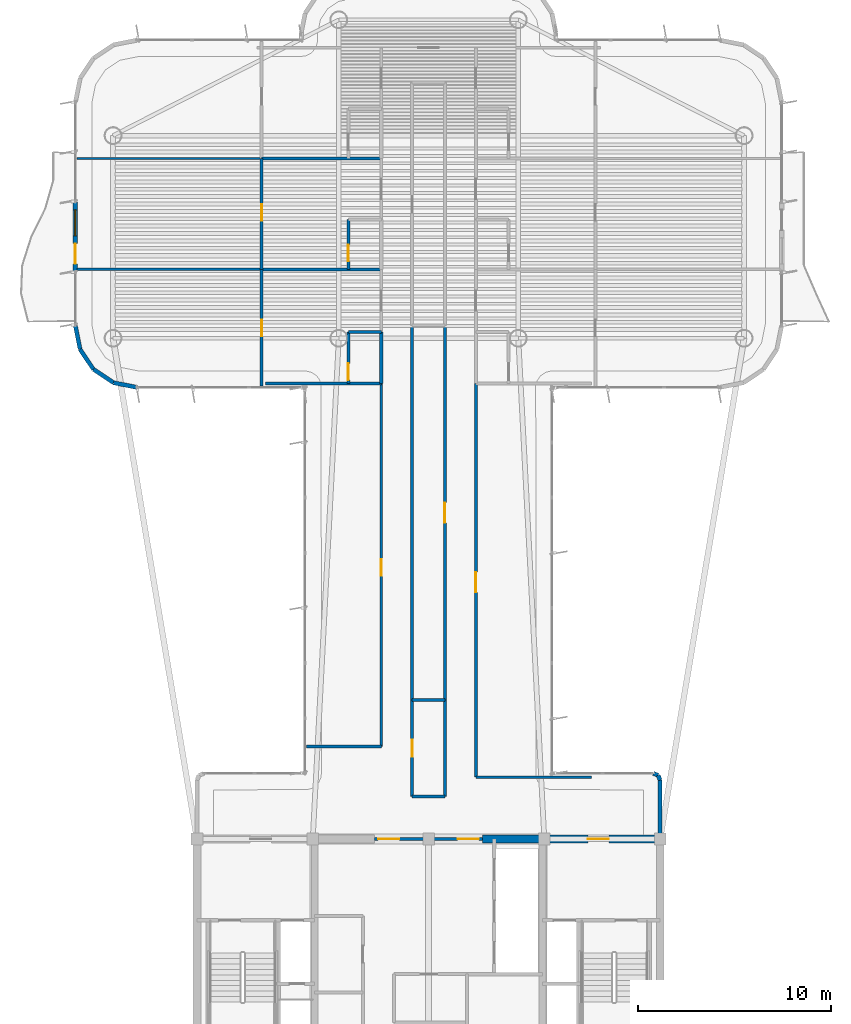
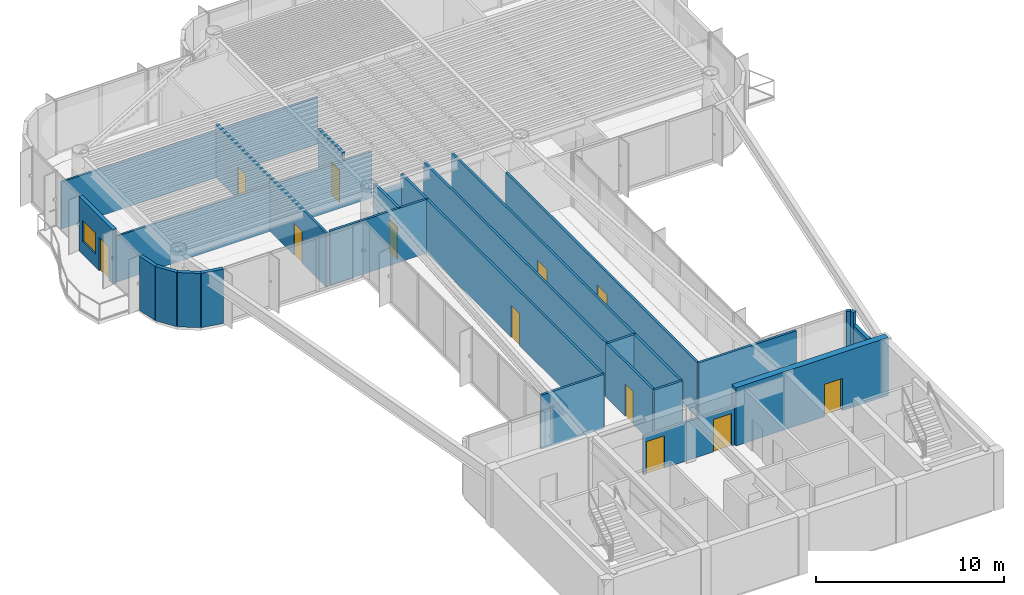
# One storey, part 11 of 16: 31 walls, 12 doors, 1 window, 13 openings.
"""IFC4 building model written with IfcOpenShell, lengths in metres."""

from ifc_helpers import new_model, si_unit, direction, frame, frame_2d, origin, origin_2d, place, context, subcontext, project, spatial, rectangle, extrude, source, transform, mapped, material, layer, layer_set, type_object, element, fill, save


model = new_model("IFC4")

# Units and contexts
model_context = context("Model", 3, precision=1e-05, world=origin(), true_north=direction((0.0, 1.0)))
body_context = subcontext(model_context, "Body", "Model", "MODEL_VIEW")
ifc_project = project(units=[si_unit("LENGTHUNIT", "METRE"), si_unit("AREAUNIT", "SQUARE_METRE"), si_unit("VOLUMEUNIT", "CUBIC_METRE"), si_unit("PLANEANGLEUNIT", "RADIAN"), si_unit("MASSUNIT", "GRAM", prefix="KILO")], contexts=[model_context])

# Site, building, storey
site_placement = place(None, origin())
site = spatial("IfcSite", under=ifc_project, at=site_placement, CompositionType="ELEMENT")
building_placement = place(site_placement, origin())
building = spatial("IfcBuilding", under=site, at=building_placement, Name="Brelvock Crest Care Tower", CompositionType="ELEMENT")
storey_placement = place(building_placement, frame((0.0, 0.0, 238.139892578125)))
storey = spatial("IfcBuildingStorey", under=building, at=storey_placement, Name="L60", CompositionType="ELEMENT", Elevation=238.139892578125)

# Wall, opening, door
ifc_material_1 = material(Name="Concrete S65 (65 MPa)", Category="concrete")
ifc_layer_1 = layer(ifc_material_1, 0.39990234375, Name="WL-CS4")
ifc_layer_set_1 = layer_set([ifc_layer_1], Name="Concrete S65 (65 MPa)")
wall_type_1 = type_object("IfcWallType", Name="WL-CS4", PredefinedType="SHEAR", material=ifc_layer_set_1)
wall_1_placement = place(storey_placement, frame((38.800048828125, 18.0, 0.0), z_axis=(0.0, 0.0, 1.0), x_axis=(1.0, 0.0, 0.0)))
wall_1 = element("IfcWall", 1, at=wall_1_placement, inside=storey, type_object=wall_type_1, Name="L60 Core North-East Shear Wall", PredefinedType="SHEAR", context=body_context, shape_type="SweptSolid", body=[
    extrude(rectangle(XDim=9.39990234375, YDim=0.39990234375, at=frame_2d((4.699951171875, 0.0))), origin(), (0.0, 0.0, 1.0), 3.780029296875),
])
opening_1_placement = place(wall_1_placement, frame((5.449951171875, 0.0, 0.0)))
opening_1 = element("IfcOpeningElement", 2, at=opening_1_placement, cuts=wall_1, Name="Opening FD-1", PredefinedType="OPENING", context=body_context, shape_type="SweptSolid", body=[
    extrude(rectangle(XDim=1.10009765625, YDim=2.10009765625, at=origin_2d()), frame((0.550048828125, 0.2099609375, 1.050048828125), z_axis=(0.0, -1.0, 0.0), x_axis=(1.0, 0.0, 0.0)), (0.0, 0.0, 1.0), 0.419921875),
])
ifc_material_2 = material(Name="Steel Grade 350", Category="steel")
door_type_1 = type_object("IfcDoorType", Name="DR-FFL1", OperationType="NOTDEFINED", PredefinedType="DOOR", material=ifc_material_2)
shared_shape_1 = source(origin(), body_context, "Body", "SweptSolid", [
    extrude(rectangle(XDim=1.10009765625, YDim=2.10009765625, at=origin_2d()), frame((0.550048828125, 0.02490234375, 1.050048828125), z_axis=(0.0, -1.0, 0.0), x_axis=(1.0, 0.0, 0.0)), (0.0, 0.0, 1.0), 0.050048828125),
])
door_1_placement = place(opening_1_placement, origin())
door_1 = element("IfcDoor", 3, at=door_1_placement, inside=storey, type_object=door_type_1, Name="L60 Firefighting Lobby FFL-2 Exit Door", OperationType="SINGLE_SWING_RIGHT", OverallHeight=2.10009765625, OverallWidth=1.10009765625, PredefinedType="DOOR", context=body_context, shape_type="MappedRepresentation", body=[
    mapped(shared_shape_1, transform((0.0, 0.0, 0.0), x_axis=(1.0, 0.0, 0.0), y_axis=(0.0, 1.0, 0.0), z_axis=(0.0, 0.0, 1.0), scale=1.0)),
])
fill(opening_1, door_1)

# Wall, openings, door, window
ifc_material_3 = material(Name="Precast concrete N40 (40 MPa)", Category="concrete")
ifc_layer_2 = layer(ifc_material_3, 0.239990234375, Name="WL-EX1")
ifc_layer_set_2 = layer_set([ifc_layer_2], Name="Precast concrete N40 (40 MPa)")
wall_type_2 = type_object("IfcWallType", Name="WL-EX1", PredefinedType="SOLIDWALL", material=ifc_layer_set_2)
wall_2_placement = place(storey_placement, frame((17.699951171875, 47.39990234375, 0.0), z_axis=(0.0, 0.0, 1.0), x_axis=(0.0, 1.0, 0.0)))
wall_2 = element("IfcWall", 4, at=wall_2_placement, inside=storey, type_object=wall_type_2, Name="L60 Exterior Spandrel Wall WL-BAL-L60-W", PredefinedType="SOLIDWALL", context=body_context, shape_type="SweptSolid", body=[
    extrude(rectangle(XDim=3.60009765625, YDim=0.239990234375, at=frame_2d((1.800048828125, 0.0))), origin(), (0.0, 0.0, 1.0), 3.530029296875),
])
opening_2_placement = place(wall_2_placement, frame((0.39990234375, 0.0, 0.0)))
opening_2 = element("IfcOpeningElement", 5, at=opening_2_placement, cuts=wall_2, Name="Opening BD-1", PredefinedType="OPENING", context=body_context, shape_type="SweptSolid", body=[
    extrude(rectangle(XDim=1.050048828125, YDim=2.14990234375, at=origin_2d()), frame((0.52490234375, 0.1298828125, 1.074951171875), z_axis=(0.0, -1.0, 0.0), x_axis=(1.0, 0.0, 0.0)), (0.0, 0.0, 1.0), 0.260009765625),
])
opening_3_placement = place(wall_2_placement, frame((1.85009765625, 0.0, 0.85009765625)))
opening_3 = element("IfcOpeningElement", 6, at=opening_3_placement, cuts=wall_2, Name="Opening W-01", PredefinedType="OPENING", context=body_context, shape_type="SweptSolid", body=[
    extrude(rectangle(XDim=1.35009765625, YDim=1.35009765625, at=origin_2d()), frame((0.675048828125, 0.1298828125, 0.675048828125), z_axis=(0.0, -1.0, 0.0), x_axis=(1.0, 0.0, 0.0)), (0.0, 0.0, 1.0), 0.260009765625),
])
ifc_material_4 = material(Name="Dark Glass Double Glazed Low-E", Category="glass")
door_type_2 = type_object("IfcDoorType", Name="DR-BAL1", OperationType="NOTDEFINED", PredefinedType="DOOR", material=ifc_material_4)
shared_shape_2 = source(origin(), body_context, "Body", "SweptSolid", [
    extrude(rectangle(XDim=1.050048828125, YDim=2.14990234375, at=origin_2d()), frame((0.52490234375, 0.02490234375, 1.074951171875), z_axis=(0.0, -1.0, 0.0), x_axis=(1.0, 0.0, 0.0)), (0.0, 0.0, 1.0), 0.050048828125),
])
door_2_placement = place(opening_2_placement, origin())
door_2 = element("IfcDoor", 7, at=door_2_placement, inside=storey, type_object=door_type_2, Name="L60 W Wave Balcony Glazed Door", OperationType="SINGLE_SWING_LEFT", OverallHeight=2.14990234375, OverallWidth=1.050048828125, PredefinedType="DOOR", context=body_context, shape_type="MappedRepresentation", body=[
    mapped(shared_shape_2, transform((0.0, 0.0, 0.0), x_axis=(1.0, 0.0, 0.0), y_axis=(0.0, 1.0, 0.0), z_axis=(0.0, 0.0, 1.0), scale=1.0)),
])
fill(opening_2, door_2)
window_type = type_object("IfcWindowType", Name="WN-EX1", PartitioningType="SINGLE_PANEL", PredefinedType="WINDOW", material=ifc_material_4)
shared_shape_3 = source(origin(), body_context, "Body", "SweptSolid", [
    extrude(rectangle(XDim=1.35009765625, YDim=1.35009765625, at=origin_2d()), frame((0.675048828125, 0.030029296875, 0.675048828125), z_axis=(0.0, -1.0, 0.0), x_axis=(1.0, 0.0, 0.0)), (0.0, 0.0, 1.0), 0.06005859375),
])
window_placement = place(opening_3_placement, origin())
window = element("IfcWindow", 8, at=window_placement, inside=storey, type_object=window_type, Name="L60 W Suite Casement Window", OverallHeight=1.35009765625, OverallWidth=1.35009765625, PartitioningType="SINGLE_PANEL", PredefinedType="WINDOW", context=body_context, shape_type="MappedRepresentation", body=[
    mapped(shared_shape_3, transform((0.0, 0.0, 0.0), x_axis=(1.0, 0.0, 0.0), y_axis=(0.0, 1.0, 0.0), z_axis=(0.0, 0.0, 1.0), scale=1.0)),
])
fill(opening_3, window)

# Walls
ifc_layer_3 = layer(ifc_material_3, 0.215087890625, Name="WL-EX2")
ifc_layer_set_3 = layer_set([ifc_layer_3], Name="Precast concrete N40 (40 MPa)")
wall_type_3 = type_object("IfcWallType", Name="WL-EX2", PredefinedType="SOLIDWALL", material=ifc_layer_set_3)
wall_3_placement = place(storey_placement, frame((47.8974609375, 21.297607421875, 0.0), z_axis=(0.0, 0.0, 1.0), x_axis=(0.382673670509, -0.923883575944, 0.0)))
element("IfcWall", 9, at=wall_3_placement, inside=storey, type_object=wall_type_3, Name="L60 Rounded Corner Wall 00", PredefinedType="SOLIDWALL", context=body_context, shape_type="SweptSolid", body=[
    extrude(rectangle(XDim=0.26806640625, YDim=0.215087890625, at=frame_2d((0.134033203125, 0.0))), origin(), (0.0, 0.0, 1.0), 3.530029296875),
])
wall_4_placement = place(storey_placement, frame((48.0, 21.050048828125, 0.0), z_axis=(0.0, 0.0, 1.0), x_axis=(0.0, -1.0, 0.0)))
element("IfcWall", 10, at=wall_4_placement, inside=storey, type_object=wall_type_3, Name="L60 Rounded Corner Wall 01", PredefinedType="SOLIDWALL", context=body_context, shape_type="SweptSolid", body=[
    extrude(rectangle(XDim=2.77001953125, YDim=0.215087890625, at=frame_2d((1.385009765625, 0.0))), origin(), (0.0, 0.0, 1.0), 2.718017578125),
])
for number, where, z_axis, x_axis, name in (
    (11, (20.89990234375, 41.39990234375, 0.0), (0.0, 0.0, 1.0), (-0.980775717779, 0.195138390419, 0.0), "L60 Rounded Corner Wall 13"),
    (12, (19.67529296875, 41.6435546875, 0.0), (0.0, 0.0, 1.0), (-0.831387912822, 0.555692485475, 0.0), "L60 Rounded Corner Wall 14"),
    (13, (18.63720703125, 42.33740234375, 0.0), (0.0, 0.0, 1.0), (-0.555557312883, 0.831478245117, 0.0), "L60 Rounded Corner Wall 15"),
    (14, (17.943603515625, 43.37548828125, 0.0), (0.0, 0.0, 1.0), (-0.195138390419, 0.980775717779, 0.0), "L60 Rounded Corner Wall 16"),
):
    element("IfcWall", number, at=place(storey_placement, frame(where, z_axis=z_axis, x_axis=x_axis)), inside=storey, type_object=wall_type_3, Name=name, PredefinedType="SOLIDWALL", context=body_context, shape_type="SweptSolid", body=[
        extrude(rectangle(XDim=1.24853515625, YDim=0.215087890625, at=frame_2d((0.624267578125, 0.0))), origin(), (0.0, 0.0, 1.0), 3.530029296875),
    ])
wall_5_placement = place(storey_placement, frame((47.64990234375, 21.39990234375, 0.0), z_axis=(0.0, 0.0, 1.0), x_axis=(0.924205486139, -0.381895560841, 0.0)))
element("IfcWall", 15, at=wall_5_placement, inside=storey, type_object=wall_type_3, Name="L60 Rounded Corner Wall 47", PredefinedType="SOLIDWALL", context=body_context, shape_type="SweptSolid", body=[
    extrude(rectangle(XDim=0.267822265625, YDim=0.215087890625, at=frame_2d((0.1337890625, 0.0))), origin(), (0.0, 0.0, 1.0), 3.530029296875),
])

# Wall, openings, doors
ifc_material_5 = material(Name="Masonry Blockwork Acoustic Partition", Category="masonry")
ifc_layer_4 = layer(ifc_material_5, 0.14990234375, Name="WL-INT1")
ifc_layer_set_4 = layer_set([ifc_layer_4], Name="Masonry Blockwork Acoustic Partition")
wall_type_4 = type_object("IfcWallType", Name="WL-INT1", PredefinedType="PARTITIONING", material=ifc_layer_set_4)
wall_6_placement = place(storey_placement, frame((33.199951171875, 18.0, 0.0), z_axis=(0.0, 0.0, 1.0), x_axis=(1.0, 0.0, 0.0)))
wall_6 = element("IfcWall", 16, at=wall_6_placement, inside=storey, type_object=wall_type_4, Name="L60 Interior Wall WL-CORE-NPORT-L60", PredefinedType="PARTITIONING", context=body_context, shape_type="SweptSolid", body=[
    extrude(rectangle(XDim=5.60009765625, YDim=0.14990234375, at=frame_2d((2.800048828125, 0.0))), origin(), (0.0, 0.0, 1.0), 2.51513671875),
])
opening_4_placement = place(wall_6_placement, frame((0.18994140625, 0.0, 0.0)))
opening_4 = element("IfcOpeningElement", 17, at=opening_4_placement, cuts=wall_6, Name="Opening FD-1", PredefinedType="OPENING", context=body_context, shape_type="SweptSolid", body=[
    extrude(rectangle(XDim=1.10009765625, YDim=2.10009765625, at=origin_2d()), frame((0.550048828125, 0.0849609375, 1.050048828125), z_axis=(0.0, -1.0, 0.0), x_axis=(1.0, 0.0, 0.0)), (0.0, 0.0, 1.0), 0.169921875),
])
opening_5_placement = place(wall_6_placement, frame((4.31005859375, 0.0, 0.0)))
opening_5 = element("IfcOpeningElement", 18, at=opening_5_placement, cuts=wall_6, Name="Opening FD-1", PredefinedType="OPENING", context=body_context, shape_type="SweptSolid", body=[
    extrude(rectangle(XDim=1.10009765625, YDim=2.10009765625, at=origin_2d()), frame((0.550048828125, 0.0849609375, 1.050048828125), z_axis=(0.0, -1.0, 0.0), x_axis=(1.0, 0.0, 0.0)), (0.0, 0.0, 1.0), 0.169921875),
])
door_3_placement = place(opening_4_placement, origin())
door_3 = element("IfcDoor", 19, at=door_3_placement, inside=storey, type_object=door_type_1, Name="L60 Lift Lobby North Smoke Door West", OperationType="SINGLE_SWING_LEFT", OverallHeight=2.10009765625, OverallWidth=1.10009765625, PredefinedType="DOOR", context=body_context, shape_type="MappedRepresentation", body=[
    mapped(shared_shape_1, transform((0.0, 0.0, 0.0), x_axis=(1.0, 0.0, 0.0), y_axis=(0.0, 1.0, 0.0), z_axis=(0.0, 0.0, 1.0), scale=1.0)),
])
fill(opening_4, door_3)
door_4_placement = place(opening_5_placement, origin())
door_4 = element("IfcDoor", 20, at=door_4_placement, inside=storey, type_object=door_type_1, Name="L60 Lift Lobby North Smoke Door East", OperationType="SINGLE_SWING_RIGHT", OverallHeight=2.10009765625, OverallWidth=1.10009765625, PredefinedType="DOOR", context=body_context, shape_type="MappedRepresentation", body=[
    mapped(shared_shape_1, transform((0.0, 0.0, 0.0), x_axis=(1.0, 0.0, 0.0), y_axis=(0.0, 1.0, 0.0), z_axis=(0.0, 0.0, 1.0), scale=1.0)),
])
fill(opening_5, door_4)

# Walls
wall_7_placement = place(storey_placement, frame((38.449951171875, 21.199951171875, 0.0), z_axis=(0.0, 0.0, 1.0), x_axis=(1.0, 0.0, 0.0)))
element("IfcWall", 21, at=wall_7_placement, inside=storey, type_object=wall_type_4, Name="L60 Interior Wall WL-BX-L60-THRE-S", PredefinedType="PARTITIONING", context=body_context, shape_type="SweptSolid", body=[
    extrude(rectangle(XDim=5.9931640625, YDim=0.14990234375, at=frame_2d((2.99658203125, 0.0))), origin(), (0.0, 0.0, 1.0), 3.5),
])
wall_8_placement = place(storey_placement, frame((29.678466796875, 22.800048828125, 0.0), z_axis=(0.0, 0.0, 1.0), x_axis=(1.0, 0.0, 0.0)))
element("IfcWall", 22, at=wall_8_placement, inside=storey, type_object=wall_type_4, Name="L60 Interior Wall WL-BX-L60-THRW-S", PredefinedType="PARTITIONING", context=body_context, shape_type="SweptSolid", body=[
    extrude(rectangle(XDim=3.87158203125, YDim=0.14990234375, at=frame_2d((1.935791015625, 0.0))), origin(), (0.0, 0.0, 1.0), 3.5),
])
wall_9_placement = place(storey_placement, frame((27.557861328125, 41.60009765625, 0.0), z_axis=(0.0, 0.0, 1.0), x_axis=(1.0, 0.0, 0.0)))
element("IfcWall", 23, at=wall_9_placement, inside=storey, type_object=wall_type_4, Name="L60 Interior Wall WL-BX-L60-CS-WS1-S", PredefinedType="PARTITIONING", context=body_context, shape_type="SweptSolid", body=[
    extrude(rectangle(XDim=5.9921875, YDim=0.14990234375, at=frame_2d((2.99609375, 0.0))), origin(), (0.0, 0.0, 1.0), 3.5),
])
wall_10_placement = place(storey_placement, frame((27.35009765625, 47.51611328125, 0.0), z_axis=(0.0, 0.0, 1.0), x_axis=(1.0, 0.0, 0.0)))
element("IfcWall", 24, at=wall_10_placement, inside=storey, type_object=wall_type_4, Name="L60 Interior Wall WL-BX-L60-CS-WS1-N", PredefinedType="PARTITIONING", context=body_context, shape_type="SweptSolid", body=[
    extrude(rectangle(XDim=6.199951171875, YDim=0.14990234375, at=frame_2d((3.10009765625, 0.0))), origin(), (0.0, 0.0, 1.0), 2.982177734375),
])
wall_11_placement = place(storey_placement, frame((27.35009765625, 53.258056640625, 0.0), z_axis=(0.0, 0.0, 1.0), x_axis=(1.0, 0.0, 0.0)))
element("IfcWall", 25, at=wall_11_placement, inside=storey, type_object=wall_type_4, Name="L60 Interior Wall WL-BX-L60-CS-WS2-N", PredefinedType="PARTITIONING", context=body_context, shape_type="SweptSolid", body=[
    extrude(rectangle(XDim=6.199951171875, YDim=0.14990234375, at=frame_2d((3.10009765625, 0.0))), origin(), (0.0, 0.0, 1.0), 3.05517578125),
])

# Wall, opening, door
wall_12_placement = place(storey_placement, frame((27.35009765625, 41.47998046875, 0.0), z_axis=(0.0, 0.0, 1.0), x_axis=(0.0, 1.0, 0.0)))
wall_12 = element("IfcWall", 26, at=wall_12_placement, inside=storey, type_object=wall_type_4, Name="L60 Interior Wall WL-RM-L60-WS1S", PredefinedType="PARTITIONING", context=body_context, shape_type="SweptSolid", body=[
    extrude(rectangle(XDim=6.0361328125, YDim=0.14990234375, at=frame_2d((3.01806640625, 0.0))), origin(), (0.0, 0.0, 1.0), 3.5),
])
opening_6_placement = place(wall_12_placement, frame((2.56005859375, 0.0, 0.0)))
opening_6 = element("IfcOpeningElement", 27, at=opening_6_placement, cuts=wall_12, Name="Opening ID-1", PredefinedType="OPENING", context=body_context, shape_type="SweptSolid", body=[
    extrude(rectangle(XDim=0.860107421875, YDim=2.10009765625, at=origin_2d()), frame((0.43017578125, 0.0849609375, 1.050048828125), z_axis=(0.0, -1.0, 0.0), x_axis=(1.0, 0.0, 0.0)), (0.0, 0.0, 1.0), 0.169921875),
])
ifc_material_6 = material(Name="Engineered Hardwood Timber", Category="wood")
door_type_3 = type_object("IfcDoorType", Name="DR-INT1", OperationType="NOTDEFINED", PredefinedType="DOOR", material=ifc_material_6)
shared_shape_4 = source(origin(), body_context, "Body", "SweptSolid", [
    extrude(rectangle(XDim=0.860107421875, YDim=2.10009765625, at=origin_2d()), frame((0.43017578125, 0.02490234375, 1.050048828125), z_axis=(0.0, -1.0, 0.0), x_axis=(1.0, 0.0, 0.0)), (0.0, 0.0, 1.0), 0.050048828125),
])
door_5_placement = place(opening_6_placement, origin())
door_5 = element("IfcDoor", 28, at=door_5_placement, inside=storey, type_object=door_type_3, Name="L60 Assisted Care Mobility Store Door WS1S", OperationType="SINGLE_SWING_LEFT", OverallHeight=2.10009765625, OverallWidth=0.860107421875, PredefinedType="DOOR", context=body_context, shape_type="MappedRepresentation", body=[
    mapped(shared_shape_4, transform((0.0, 0.0, 0.0), x_axis=(1.0, 0.0, 0.0), y_axis=(0.0, 1.0, 0.0), z_axis=(0.0, 0.0, 1.0), scale=1.0)),
])
fill(opening_6, door_5)

wall_13_placement = place(storey_placement, frame((27.35009765625, 47.51611328125, 0.0), z_axis=(0.0, 0.0, 1.0), x_axis=(0.0, 1.0, 0.0)))
wall_13 = element("IfcWall", 29, at=wall_13_placement, inside=storey, type_object=wall_type_4, Name="L60 Interior Wall WL-RM-L60-WS2S", PredefinedType="PARTITIONING", context=body_context, shape_type="SweptSolid", body=[
    extrude(rectangle(XDim=5.741943359375, YDim=0.14990234375, at=frame_2d((2.87109375, 0.0))), origin(), (0.0, 0.0, 1.0), 3.5),
])
opening_7_placement = place(wall_13_placement, frame((2.52392578125, 0.0, 0.0)))
opening_7 = element("IfcOpeningElement", 30, at=opening_7_placement, cuts=wall_13, Name="Opening ID-1", PredefinedType="OPENING", context=body_context, shape_type="SweptSolid", body=[
    extrude(rectangle(XDim=0.860107421875, YDim=2.10009765625, at=origin_2d()), frame((0.43017578125, 0.0849609375, 1.050048828125), z_axis=(0.0, -1.0, 0.0), x_axis=(1.0, 0.0, 0.0)), (0.0, 0.0, 1.0), 0.169921875),
])
door_6_placement = place(opening_7_placement, origin())
door_6 = element("IfcDoor", 31, at=door_6_placement, inside=storey, type_object=door_type_3, Name="L60 Assisted Care Mobility Store Door WS2S", OperationType="SINGLE_SWING_LEFT", OverallHeight=2.10009765625, OverallWidth=0.860107421875, PredefinedType="DOOR", context=body_context, shape_type="MappedRepresentation", body=[
    mapped(shared_shape_4, transform((0.0, 0.0, 0.0), x_axis=(1.0, 0.0, 0.0), y_axis=(0.0, 1.0, 0.0), z_axis=(0.0, 0.0, 1.0), scale=1.0)),
])
fill(opening_7, door_6)

wall_14_placement = place(storey_placement, frame((33.550048828125, 22.800048828125, 0.0), z_axis=(0.0, 0.0, 1.0), x_axis=(0.0, 1.0, 0.0)))
wall_14 = element("IfcWall", 32, at=wall_14_placement, inside=storey, type_object=wall_type_4, Name="L60 Interior Wall WL-RM-L60-THRW", PredefinedType="PARTITIONING", context=body_context, shape_type="SweptSolid", body=[
    extrude(rectangle(XDim=18.800048828125, YDim=0.14990234375, at=frame_2d((9.39990234375, 0.0))), origin(), (0.0, 0.0, 1.0), 3.5),
])
opening_8_placement = place(wall_14_placement, frame((8.840087890625, 0.0, 0.0)))
opening_8 = element("IfcOpeningElement", 33, at=opening_8_placement, cuts=wall_14, Name="Opening ID-1", PredefinedType="OPENING", context=body_context, shape_type="SweptSolid", body=[
    extrude(rectangle(XDim=0.860107421875, YDim=2.10009765625, at=origin_2d()), frame((0.43017578125, 0.0849609375, 1.050048828125), z_axis=(0.0, -1.0, 0.0), x_axis=(1.0, 0.0, 0.0)), (0.0, 0.0, 1.0), 0.169921875),
])
door_7_placement = place(opening_8_placement, origin())
door_7 = element("IfcDoor", 34, at=door_7_placement, inside=storey, type_object=door_type_3, Name="L60 Quiet Family Consultation Room Door THRW", OperationType="SINGLE_SWING_LEFT", OverallHeight=2.10009765625, OverallWidth=0.860107421875, PredefinedType="DOOR", context=body_context, shape_type="MappedRepresentation", body=[
    mapped(shared_shape_4, transform((0.0, 0.0, 0.0), x_axis=(1.0, 0.0, 0.0), y_axis=(0.0, 1.0, 0.0), z_axis=(0.0, 0.0, 1.0), scale=1.0)),
])
fill(opening_8, door_7)

# Wall
wall_15_placement = place(storey_placement, frame((35.14990234375, 25.199951171875, 0.0), z_axis=(0.0, 0.0, 1.0), x_axis=(0.0, 1.0, 0.0)))
element("IfcWall", 35, at=wall_15_placement, inside=storey, type_object=wall_type_4, Name="L60 Interior Wall WL-BX-L60-ISNS-W", PredefinedType="PARTITIONING", context=body_context, shape_type="SweptSolid", body=[
    extrude(rectangle(XDim=19.420166015625, YDim=0.14990234375, at=frame_2d((9.7099609375, 0.0))), origin(), (0.0, 0.0, 1.0), 3.5),
])

# Wall, opening, door
wall_16_placement = place(storey_placement, frame((36.85009765625, 25.199951171875, 0.0), z_axis=(0.0, 0.0, 1.0), x_axis=(0.0, 1.0, 0.0)))
wall_16 = element("IfcWall", 36, at=wall_16_placement, inside=storey, type_object=wall_type_4, Name="L60 Interior Wall WL-RM-L60-ISNS", PredefinedType="PARTITIONING", context=body_context, shape_type="SweptSolid", body=[
    extrude(rectangle(XDim=19.420166015625, YDim=0.14990234375, at=frame_2d((9.7099609375, 0.0))), origin(), (0.0, 0.0, 1.0), 3.5),
])
opening_9_placement = place(wall_16_placement, frame((9.18505859375, 0.0, 0.0)))
opening_9 = element("IfcOpeningElement", 37, at=opening_9_placement, cuts=wall_16, Name="Opening CLD-1", PredefinedType="OPENING", context=body_context, shape_type="SweptSolid", body=[
    extrude(rectangle(XDim=1.050048828125, YDim=2.10009765625, at=origin_2d()), frame((0.52490234375, 0.0849609375, 1.050048828125), z_axis=(0.0, -1.0, 0.0), x_axis=(1.0, 0.0, 0.0)), (0.0, 0.0, 1.0), 0.169921875),
])
door_type_4 = type_object("IfcDoorType", Name="DR-CLN1", OperationType="NOTDEFINED", PredefinedType="DOOR", material=ifc_material_6)
shared_shape_5 = source(origin(), body_context, "Body", "SweptSolid", [
    extrude(rectangle(XDim=1.050048828125, YDim=2.10009765625, at=origin_2d()), frame((0.52490234375, 0.02490234375, 1.050048828125), z_axis=(0.0, -1.0, 0.0), x_axis=(1.0, 0.0, 0.0)), (0.0, 0.0, 1.0), 0.050048828125),
])
door_8_placement = place(opening_9_placement, origin())
door_8 = element("IfcDoor", 38, at=door_8_placement, inside=storey, type_object=door_type_4, Name="L60 Care Concierge and Triage Station Door ISNS", OperationType="SINGLE_SWING_LEFT", OverallHeight=2.10009765625, OverallWidth=1.050048828125, PredefinedType="DOOR", context=body_context, shape_type="MappedRepresentation", body=[
    mapped(shared_shape_5, transform((0.0, 0.0, 0.0), x_axis=(1.0, 0.0, 0.0), y_axis=(0.0, 1.0, 0.0), z_axis=(0.0, 0.0, 1.0), scale=1.0)),
])
fill(opening_9, door_8)

wall_17_placement = place(storey_placement, frame((38.449951171875, 21.199951171875, 0.0), z_axis=(0.0, 0.0, 1.0), x_axis=(0.0, 1.0, 0.0)))
wall_17 = element("IfcWall", 39, at=wall_17_placement, inside=storey, type_object=wall_type_4, Name="L60 Interior Wall WL-RM-L60-THRE", PredefinedType="PARTITIONING", context=body_context, shape_type="SweptSolid", body=[
    extrude(rectangle(XDim=20.400146484375, YDim=0.14990234375, at=frame_2d((10.2001953125, 0.0))), origin(), (0.0, 0.0, 1.0), 3.5),
])
opening_10_placement = place(wall_17_placement, frame((9.574951171875, 0.0, 0.0)))
opening_10 = element("IfcOpeningElement", 40, at=opening_10_placement, cuts=wall_17, Name="Opening CLD-1", PredefinedType="OPENING", context=body_context, shape_type="SweptSolid", body=[
    extrude(rectangle(XDim=1.050048828125, YDim=2.10009765625, at=origin_2d()), frame((0.52490234375, 0.0849609375, 1.050048828125), z_axis=(0.0, -1.0, 0.0), x_axis=(1.0, 0.0, 0.0)), (0.0, 0.0, 1.0), 0.169921875),
])
door_9_placement = place(opening_10_placement, origin())
door_9 = element("IfcDoor", 41, at=door_9_placement, inside=storey, type_object=door_type_4, Name="L60 Allied Health Therapy Room Door THRE", OperationType="SINGLE_SWING_LEFT", OverallHeight=2.10009765625, OverallWidth=1.050048828125, PredefinedType="DOOR", context=body_context, shape_type="MappedRepresentation", body=[
    mapped(shared_shape_5, transform((0.0, 0.0, 0.0), x_axis=(1.0, 0.0, 0.0), y_axis=(0.0, 1.0, 0.0), z_axis=(0.0, 0.0, 1.0), scale=1.0)),
])
fill(opening_10, door_9)

# Walls
ifc_material_7 = material(Name="Gypsum Plasterboard Partition", Category="gypsum")
ifc_layer_5 = layer(ifc_material_7, 0.1201171875, Name="WL-INT2")
ifc_layer_set_5 = layer_set([ifc_layer_5], Name="Gypsum Plasterboard Partition")
wall_type_5 = type_object("IfcWallType", Name="WL-INT2", PredefinedType="PARTITIONING", material=ifc_layer_set_5)
wall_18_placement = place(storey_placement, frame((17.780029296875, 47.51611328125, 0.0), z_axis=(0.0, 0.0, 1.0), x_axis=(1.0, 0.0, 0.0)))
element("IfcWall", 42, at=wall_18_placement, inside=storey, type_object=wall_type_5, Name="L60 Interior Wall WL-BX-L60-WS1S-N", PredefinedType="PARTITIONING", context=body_context, shape_type="SweptSolid", body=[
    extrude(rectangle(XDim=9.570068359375, YDim=0.1201171875, at=frame_2d((4.78515625, 0.0))), origin(), (0.0, 0.0, 1.0), 2.982177734375),
])
wall_19_placement = place(storey_placement, frame((17.780029296875, 53.258056640625, 0.0), z_axis=(0.0, 0.0, 1.0), x_axis=(1.0, 0.0, 0.0)))
element("IfcWall", 43, at=wall_19_placement, inside=storey, type_object=wall_type_5, Name="L60 Interior Wall WL-BX-L60-WS2S-N", PredefinedType="PARTITIONING", context=body_context, shape_type="SweptSolid", body=[
    extrude(rectangle(XDim=9.570068359375, YDim=0.1201171875, at=frame_2d((4.78515625, 0.0))), origin(), (0.0, 0.0, 1.0), 3.05517578125),
])
ifc_layer_6 = layer(ifc_material_7, 0.159912109375, Name="WL-PLM1")
ifc_layer_set_6 = layer_set([ifc_layer_6], Name="Gypsum Plasterboard Partition")
wall_type_6 = type_object("IfcWallType", Name="WL-PLM1", PredefinedType="PLUMBINGWALL", material=ifc_layer_set_6)
for number, where, z_axis, x_axis, name in (
    (44, (35.14990234375, 20.199951171875, 0.0), (0.0, 0.0, 1.0), (1.0, 0.0, 0.0), "L60 Interior Wall WL-BX-L60-ISWC-S"),
    (45, (35.14990234375, 25.199951171875, 0.0), (0.0, 0.0, 1.0), (1.0, 0.0, 0.0), "L60 Interior Wall WL-BX-L60-ISNS-S"),
):
    element("IfcWall", number, at=place(storey_placement, frame(where, z_axis=z_axis, x_axis=x_axis)), inside=storey, type_object=wall_type_6, Name=name, PredefinedType="PLUMBINGWALL", context=body_context, shape_type="SweptSolid", body=[
        extrude(rectangle(XDim=1.7001953125, YDim=0.159912109375, at=frame_2d((0.85009765625, 0.0))), origin(), (0.0, 0.0, 1.0), 3.5),
    ])
wall_20_placement = place(storey_placement, frame((31.85009765625, 44.261962890625, 0.0), z_axis=(0.0, 0.0, 1.0), x_axis=(1.0, 0.0, 0.0)))
element("IfcWall", 46, at=wall_20_placement, inside=storey, type_object=wall_type_6, Name="L60 Interior Wall WL-CENS2-L60-WS1", PredefinedType="PLUMBINGWALL", context=body_context, shape_type="SweptSolid", body=[
    extrude(rectangle(XDim=1.699951171875, YDim=0.159912109375, at=frame_2d((0.85009765625, 0.0))), origin(), (0.0, 0.0, 1.0), 2.903076171875),
])

# Wall, opening, door
wall_21_placement = place(storey_placement, frame((31.85009765625, 41.60009765625, 0.0), z_axis=(0.0, 0.0, 1.0), x_axis=(0.0, 1.0, 0.0)))
wall_21 = element("IfcWall", 47, at=wall_21_placement, inside=storey, type_object=wall_type_6, Name="L60 Interior Wall WL-CENS1-L60-WS1", PredefinedType="PLUMBINGWALL", context=body_context, shape_type="SweptSolid", body=[
    extrude(rectangle(XDim=2.661865234375, YDim=0.159912109375, at=frame_2d((1.3310546875, 0.0))), origin(), (0.0, 0.0, 1.0), 3.5),
])
opening_11_placement = place(wall_21_placement, frame((0.179931640625, 0.0, 0.0)))
opening_11 = element("IfcOpeningElement", 48, at=opening_11_placement, cuts=wall_21, Name="Opening WD-1", PredefinedType="OPENING", context=body_context, shape_type="SweptSolid", body=[
    extrude(rectangle(XDim=0.860107421875, YDim=2.10009765625, at=origin_2d()), frame((0.43017578125, 0.08984375, 1.050048828125), z_axis=(0.0, -1.0, 0.0), x_axis=(1.0, 0.0, 0.0)), (0.0, 0.0, 1.0), 0.179931640625),
])
door_type_5 = type_object("IfcDoorType", Name="DR-WC1", OperationType="NOTDEFINED", PredefinedType="DOOR", material=ifc_material_6)
shared_shape_6 = source(origin(), body_context, "Body", "SweptSolid", [
    extrude(rectangle(XDim=0.860107421875, YDim=2.10009765625, at=origin_2d()), frame((0.43017578125, 0.02490234375, 1.050048828125), z_axis=(0.0, -1.0, 0.0), x_axis=(1.0, 0.0, 0.0)), (0.0, 0.0, 1.0), 0.050048828125),
])
door_10_placement = place(opening_11_placement, origin())
door_10 = element("IfcDoor", 49, at=door_10_placement, inside=storey, type_object=door_type_5, Name="L60 Care En-Suite Door WS1", OperationType="SINGLE_SWING_LEFT", OverallHeight=2.10009765625, OverallWidth=0.860107421875, PredefinedType="DOOR", context=body_context, shape_type="MappedRepresentation", body=[
    mapped(shared_shape_6, transform((0.0, 0.0, 0.0), x_axis=(1.0, 0.0, 0.0), y_axis=(0.0, 1.0, 0.0), z_axis=(0.0, 0.0, 1.0), scale=1.0)),
])
fill(opening_11, door_10)

wall_22_placement = place(storey_placement, frame((31.85009765625, 47.51611328125, 0.0), z_axis=(0.0, 0.0, 1.0), x_axis=(0.0, 1.0, 0.0)))
wall_22 = element("IfcWall", 50, at=wall_22_placement, inside=storey, type_object=wall_type_6, Name="L60 Interior Wall WL-CENS1-L60-WS2", PredefinedType="PLUMBINGWALL", context=body_context, shape_type="SweptSolid", body=[
    extrude(rectangle(XDim=2.583984375, YDim=0.159912109375, at=frame_2d((1.2919921875, 0.0))), origin(), (0.0, 0.0, 1.0), 3.5),
])
opening_12_placement = place(wall_22_placement, frame((0.419921875, 0.0, 0.0)))
opening_12 = element("IfcOpeningElement", 51, at=opening_12_placement, cuts=wall_22, Name="Opening WD-1", PredefinedType="OPENING", context=body_context, shape_type="SweptSolid", body=[
    extrude(rectangle(XDim=0.860107421875, YDim=2.10009765625, at=origin_2d()), frame((0.43017578125, 0.08984375, 1.050048828125), z_axis=(0.0, -1.0, 0.0), x_axis=(1.0, 0.0, 0.0)), (0.0, 0.0, 1.0), 0.179931640625),
])
door_11_placement = place(opening_12_placement, origin())
door_11 = element("IfcDoor", 52, at=door_11_placement, inside=storey, type_object=door_type_5, Name="L60 Care En-Suite Door WS2", OperationType="SINGLE_SWING_LEFT", OverallHeight=2.10009765625, OverallWidth=0.860107421875, PredefinedType="DOOR", context=body_context, shape_type="MappedRepresentation", body=[
    mapped(shared_shape_6, transform((0.0, 0.0, 0.0), x_axis=(1.0, 0.0, 0.0), y_axis=(0.0, 1.0, 0.0), z_axis=(0.0, 0.0, 1.0), scale=1.0)),
])
fill(opening_12, door_11)

# Wall
wall_23_placement = place(storey_placement, frame((33.550048828125, 41.60009765625, 0.0), z_axis=(0.0, 0.0, 1.0), x_axis=(0.0, 1.0, 0.0)))
element("IfcWall", 53, at=wall_23_placement, inside=storey, type_object=wall_type_6, Name="L60 Interior Wall WL-CENS0-L60-WS1", PredefinedType="PLUMBINGWALL", context=body_context, shape_type="SweptSolid", body=[
    extrude(rectangle(XDim=2.661865234375, YDim=0.159912109375, at=frame_2d((1.3310546875, 0.0))), origin(), (0.0, 0.0, 1.0), 3.5),
])

# Wall, opening, door
wall_24_placement = place(storey_placement, frame((35.14990234375, 20.199951171875, 0.0), z_axis=(0.0, 0.0, 1.0), x_axis=(0.0, 1.0, 0.0)))
wall_24 = element("IfcWall", 54, at=wall_24_placement, inside=storey, type_object=wall_type_6, Name="L60 Interior Wall WL-RM-L60-ISWC", PredefinedType="PLUMBINGWALL", context=body_context, shape_type="SweptSolid", body=[
    extrude(rectangle(XDim=5.0, YDim=0.159912109375, at=frame_2d((2.5, 0.0))), origin(), (0.0, 0.0, 1.0), 3.5),
])
opening_13_placement = place(wall_24_placement, frame((2.070068359375, 0.0, 0.0)))
opening_13 = element("IfcOpeningElement", 55, at=opening_13_placement, cuts=wall_24, Name="Opening WD-1", PredefinedType="OPENING", context=body_context, shape_type="SweptSolid", body=[
    extrude(rectangle(XDim=0.860107421875, YDim=2.10009765625, at=origin_2d()), frame((0.43017578125, 0.08984375, 1.050048828125), z_axis=(0.0, -1.0, 0.0), x_axis=(1.0, 0.0, 0.0)), (0.0, 0.0, 1.0), 0.179931640625),
])
door_12_placement = place(opening_13_placement, origin())
door_12 = element("IfcDoor", 56, at=door_12_placement, inside=storey, type_object=door_type_5, Name="L60 High-Zone Accessible WC Door ISWC", OperationType="SINGLE_SWING_LEFT", OverallHeight=2.10009765625, OverallWidth=0.860107421875, PredefinedType="DOOR", context=body_context, shape_type="MappedRepresentation", body=[
    mapped(shared_shape_6, transform((0.0, 0.0, 0.0), x_axis=(1.0, 0.0, 0.0), y_axis=(0.0, 1.0, 0.0), z_axis=(0.0, 0.0, 1.0), scale=1.0)),
])
fill(opening_13, door_12)

# Wall
wall_25_placement = place(storey_placement, frame((36.85009765625, 20.199951171875, 0.0), z_axis=(0.0, 0.0, 1.0), x_axis=(0.0, 1.0, 0.0)))
element("IfcWall", 57, at=wall_25_placement, inside=storey, type_object=wall_type_6, Name="L60 Interior Wall WL-BX-L60-ISWC-E", PredefinedType="PLUMBINGWALL", context=body_context, shape_type="SweptSolid", body=[
    extrude(rectangle(XDim=5.0, YDim=0.159912109375, at=frame_2d((2.5, 0.0))), origin(), (0.0, 0.0, 1.0), 3.5),
])

save(model, "model.ifc")
